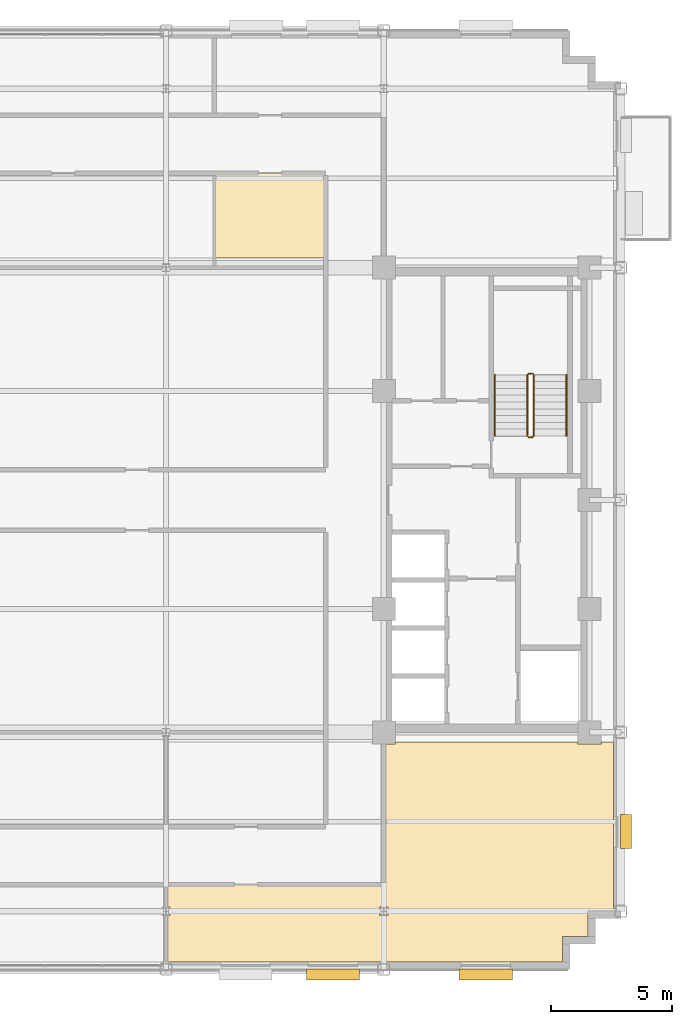
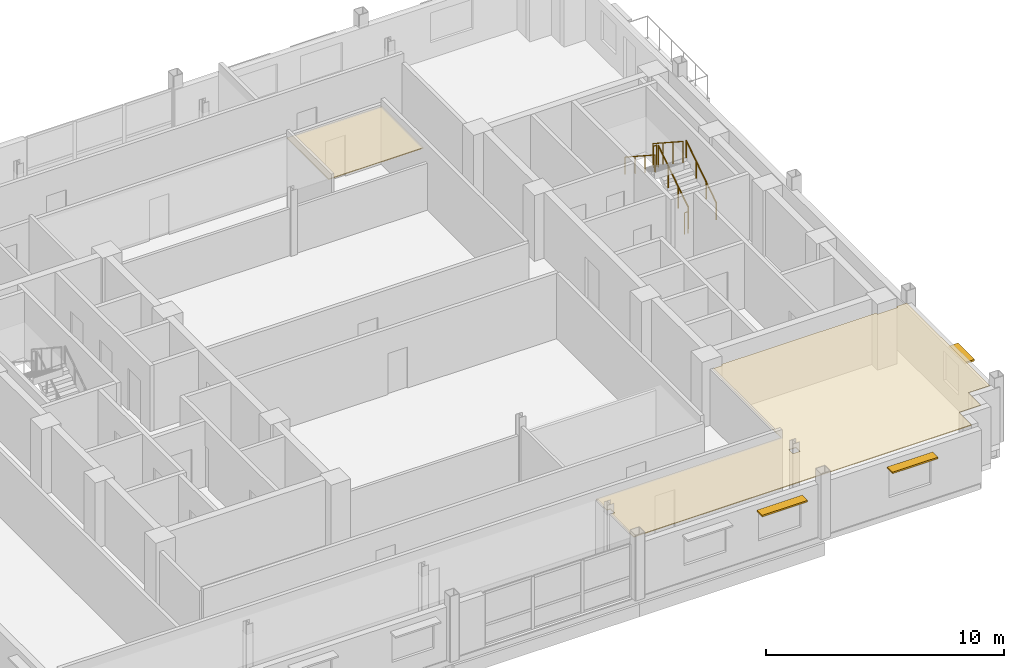
# One storey, part 14 of 15: 6 railings, 3 shading devices, 2 coverings.
"""IFC4 building model written with IfcOpenShell, lengths in metres."""

from ifc_helpers import new_model, si_unit, direction, frame, origin, origin_2d, place, context, subcontext, project, spatial, polyline, rectangle, circle, outline, extrude, source, transform, mapped, material, layer, layer_set, type_object, type_shapes, element, save


model = new_model("IFC4")

# Units and contexts
model_context = context("Model", 3, precision=1e-05, world=origin(), true_north=direction((0.0, 1.0)))
body_context = subcontext(model_context, "Body", "Model", "MODEL_VIEW")
ifc_project = project(units=[si_unit("LENGTHUNIT", "METRE"), si_unit("AREAUNIT", "SQUARE_METRE"), si_unit("VOLUMEUNIT", "CUBIC_METRE"), si_unit("PLANEANGLEUNIT", "RADIAN"), si_unit("MASSUNIT", "GRAM", prefix="KILO")], contexts=[model_context])

# Site, building, storey
site_placement = place(None, origin())
site = spatial("IfcSite", under=ifc_project, at=site_placement, CompositionType="ELEMENT")
building_placement = place(site_placement, origin())
building = spatial("IfcBuilding", under=site, at=building_placement, Name="Nuvemarco Arch Tower", CompositionType="ELEMENT")
storey_placement = place(building_placement, frame((0.0, 0.0, 223.75)))
storey = spatial("IfcBuildingStorey", under=building, at=storey_placement, Name="L59", CompositionType="ELEMENT", Elevation=223.75)

# Coverings
ifc_material_1 = material(Name="Mineral acoustic ceiling tile")
ifc_layer = layer(ifc_material_1, 0.0400390625, Name="COV-ACOUSTIC-CLG")
ifc_layer_set = layer_set([ifc_layer], Name="Mineral acoustic ceiling tile")
covering_type = type_object("IfcCoveringType", Name="COV-ACOUSTIC-CLG", PredefinedType="CEILING", material=ifc_layer_set)
covering_1_placement = place(storey_placement, frame((0.0, 0.0, 2.85009765625)))
element("IfcCovering", 1, at=covering_1_placement, inside=storey, type_object=covering_type, Name="L59 suspended acoustic ceiling 2", PredefinedType="CEILING", context=body_context, shape_type="SweptSolid", body=[
    extrude(outline(polyline([(16.389892578125, -19.090087890625), (0.0, -19.090087890625), (0.0, -17.169921875), (0.169921875, -17.169921875), (0.169921875, -16.830078125), (0.0, -16.830078125), (0.0, -15.89990234375), (6.60009765625, -15.89990234375), (9.0, -15.89990234375), (9.0, -13.5), (9.0, -10.090087890625), (9.489990234375, -10.090087890625), (9.489990234375, -10.0), (17.010009765625, -10.0), (17.010009765625, -10.090087890625), (17.989990234375, -10.090087890625), (17.989990234375, -10.0), (18.489990234375, -10.0), (18.489990234375, -16.989990234375), (17.43994140625, -16.989990234375), (17.43994140625, -18.0400390625), (16.389892578125, -18.0400390625), (16.389892578125, -19.090087890625)]), holes=[polyline([(9.169921875, -17.169921875), (9.169921875, -16.830078125), (8.830078125, -16.830078125), (8.830078125, -17.169921875), (9.169921875, -17.169921875)])]), origin(), (0.0, 0.0, 1.0), 0.039794921875),
])
covering_2_placement = place(storey_placement, frame((0.0, 0.0, 2.85009765625)))
element("IfcCovering", 2, at=covering_2_placement, inside=storey, type_object=covering_type, Name="L59 suspended acoustic ceiling 8", PredefinedType="CEILING", context=body_context, shape_type="SweptSolid", body=[
    extrude(outline(polyline([(2.0, 13.5), (6.60009765625, 13.5), (6.60009765625, 10.0), (2.0, 10.0), (2.0, 13.5)])), origin(), (0.0, 0.0, 1.0), 0.039794921875),
])

# Railings
ifc_material_2 = material(Name="Brushed stainless steel handrail", Category="steel")
railing_type_1 = type_object("IfcRailingType", Name="RL-HANDRAIL-900", PredefinedType="HANDRAIL", material=ifc_material_2)
railing_1_placement = place(storey_placement, frame((16.550048828125, 2.64990234375, 0.1826171875)))
element("IfcRailing", 3, at=railing_1_placement, inside=storey, type_object=railing_type_1, Name="L59 ST-2 stair handrail 1", PredefinedType="HANDRAIL", context=body_context, shape_type="SweptSolid", body=[
    extrude(circle(Radius=0.02392578125, at=origin_2d()), frame((0.0, 0.0, 0.8759765625), z_axis=(0.0, 0.837786554691, 0.545997883492), x_axis=(-1.0, 0.0, 0.0)), (0.0, 0.0, 1.0), 3.008056640625),
    extrude(circle(Radius=0.02099609375, at=origin_2d()), origin(), (0.0, 0.0, 1.0), 0.851806640625),
    extrude(circle(Radius=0.02099609375, at=origin_2d()), frame((0.0, 0.840087890625, 0.54736328125)), (0.0, 0.0, 1.0), 0.851806640625),
    extrude(circle(Radius=0.02099609375, at=origin_2d()), frame((0.0, 1.679931640625, 1.094970703125)), (0.0, 0.0, 1.0), 0.851806640625),
    extrude(circle(Radius=0.02099609375, at=origin_2d()), frame((0.0, 2.52001953125, 1.642333984375)), (0.0, 0.0, 1.0), 0.851806640625),
])
railing_2_placement = place(storey_placement, frame((13.590087890625, 5.169921875, 2.007568359375)))
element("IfcRailing", 4, at=railing_2_placement, inside=storey, type_object=railing_type_1, Name="L59 ST-2 stair handrail 2", PredefinedType="HANDRAIL", context=body_context, shape_type="SweptSolid", body=[
    extrude(circle(Radius=0.02392578125, at=origin_2d()), frame((0.0, 0.0, 0.8759765625), z_axis=(0.0, -0.837786554691, 0.545997883492), x_axis=(1.0, 0.0, 0.0)), (0.0, 0.0, 1.0), 3.008056640625),
    extrude(circle(Radius=0.02099609375, at=origin_2d()), origin(), (0.0, 0.0, 1.0), 0.851806640625),
    extrude(circle(Radius=0.02099609375, at=origin_2d()), frame((0.0, -0.840087890625, 0.54736328125)), (0.0, 0.0, 1.0), 0.851806640625),
    extrude(circle(Radius=0.02099609375, at=origin_2d()), frame((0.0, -1.679931640625, 1.094970703125)), (0.0, 0.0, 1.0), 0.851806640625),
    extrude(circle(Radius=0.02099609375, at=origin_2d()), frame((0.0, -2.52001953125, 1.642333984375)), (0.0, 0.0, 1.0), 0.851806640625),
])
ifc_material_3 = material(Name="Painted balustrade steel S355", Category="steel")
railing_type_2 = type_object("IfcRailingType", Name="RL-STAIR-GUARD", PredefinedType="GUARDRAIL", material=ifc_material_3)
railing_3_placement = place(storey_placement, frame((15.199951171875, 2.64990234375, 0.1826171875)))
element("IfcRailing", 5, at=railing_3_placement, inside=storey, type_object=railing_type_2, Name="L59 ST-2 stair guard 1", PredefinedType="GUARDRAIL", context=body_context, shape_type="SweptSolid", body=[
    extrude(circle(Radius=0.02392578125, at=origin_2d()), frame((0.0, 0.0, 1.09619140625), z_axis=(0.0, 0.837786554691, 0.545997883492), x_axis=(-1.0, 0.0, 0.0)), (0.0, 0.0, 1.0), 3.008056640625),
    extrude(circle(Radius=0.02099609375, at=origin_2d()), origin(), (0.0, 0.0, 1.0), 1.072021484375),
    extrude(circle(Radius=0.02099609375, at=origin_2d()), frame((0.0, 0.840087890625, 0.54736328125)), (0.0, 0.0, 1.0), 1.072021484375),
    extrude(circle(Radius=0.02099609375, at=origin_2d()), frame((0.0, 1.679931640625, 1.094970703125)), (0.0, 0.0, 1.0), 1.072021484375),
    extrude(circle(Radius=0.02099609375, at=origin_2d()), frame((0.0, 2.52001953125, 1.642333984375)), (0.0, 0.0, 1.0), 1.072021484375),
])
railing_4_placement = place(storey_placement, frame((15.14990234375, 5.219970703125, 1.824951171875)))
element("IfcRailing", 6, at=railing_4_placement, inside=storey, type_object=railing_type_2, Name="L59 ST-2 stair guard 2", PredefinedType="GUARDRAIL", context=body_context, shape_type="SweptSolid", body=[
    extrude(circle(Radius=0.02392578125, at=origin_2d()), frame((0.0, 0.0, 1.09619140625), z_axis=(-1.0, 0.0, 0.0), x_axis=(0.0, -1.0, 0.0)), (0.0, 0.0, 1.0), 0.159912109375),
    extrude(circle(Radius=0.02099609375, at=origin_2d()), origin(), (0.0, 0.0, 1.0), 1.072021484375),
    extrude(circle(Radius=0.02099609375, at=origin_2d()), frame((-0.159912109375, 0.0, 0.0)), (0.0, 0.0, 1.0), 1.072021484375),
])
railing_5_placement = place(storey_placement, frame((14.93994140625, 5.169921875, 2.007568359375)))
element("IfcRailing", 7, at=railing_5_placement, inside=storey, type_object=railing_type_2, Name="L59 ST-2 stair guard 3", PredefinedType="GUARDRAIL", context=body_context, shape_type="SweptSolid", body=[
    extrude(circle(Radius=0.02392578125, at=origin_2d()), frame((0.0, 0.0, 1.09619140625), z_axis=(0.0, -0.837786554691, 0.545997883492), x_axis=(1.0, 0.0, 0.0)), (0.0, 0.0, 1.0), 3.008056640625),
    extrude(circle(Radius=0.02099609375, at=origin_2d()), origin(), (0.0, 0.0, 1.0), 1.072021484375),
    extrude(circle(Radius=0.02099609375, at=origin_2d()), frame((0.0, -0.840087890625, 0.54736328125)), (0.0, 0.0, 1.0), 1.072021484375),
    extrude(circle(Radius=0.02099609375, at=origin_2d()), frame((0.0, -1.679931640625, 1.094970703125)), (0.0, 0.0, 1.0), 1.072021484375),
    extrude(circle(Radius=0.02099609375, at=origin_2d()), frame((0.0, -2.52001953125, 1.642333984375)), (0.0, 0.0, 1.0), 1.072021484375),
])
railing_6_placement = place(storey_placement, frame((15.14990234375, 2.60009765625, 0.0)))
element("IfcRailing", 8, at=railing_6_placement, inside=storey, type_object=railing_type_2, Name="L59 ST-2 stair guard 4", PredefinedType="GUARDRAIL", context=body_context, shape_type="SweptSolid", body=[
    extrude(circle(Radius=0.02392578125, at=origin_2d()), frame((0.0, 0.0, 1.09619140625), z_axis=(-1.0, 0.0, 0.0), x_axis=(0.0, -1.0, 0.0)), (0.0, 0.0, 1.0), 0.159912109375),
    extrude(circle(Radius=0.02099609375, at=origin_2d()), origin(), (0.0, 0.0, 1.0), 1.072021484375),
    extrude(circle(Radius=0.02099609375, at=origin_2d()), frame((-0.159912109375, 0.0, 0.0)), (0.0, 0.0, 1.0), 1.072021484375),
])

# Shading devices
ifc_material_4 = material(Name="Anodised aluminium 6063-T6", Category="aluminium")
shading_device_type_1 = type_object("IfcShadingDeviceType", Name="SHD-BRISE-SOLEIL", PredefinedType="USERDEFINED", material=ifc_material_4)
shared_shape_1 = source(origin(), body_context, "Body", "SweptSolid", [
    extrude(rectangle(XDim=2.199951171875, YDim=0.449951171875, at=origin_2d()), origin(), (0.0, 0.0, 1.0), 0.080078125),
])
type_shapes(shading_device_type_1, [shared_shape_1])
for number, where, z_axis, x_axis, name in (
    (9, (6.89990234375, -19.614990234375, 2.324951171875), (0.0, 0.0, 1.0), (1.0, 0.0, 0.0), "L59 horizontal brise-soleil sunshade"),
    (10, (13.216796875, -19.614990234375, 2.324951171875), (0.0, 0.0, 1.0), (1.0, 0.0, 0.0), "L59 horizontal brise-soleil sunshade"),
):
    element("IfcShadingDevice", number, at=place(storey_placement, frame(where, z_axis=z_axis, x_axis=x_axis)), inside=storey, type_object=shading_device_type_1, Name=name, ObjectType="SUNSHADE", PredefinedType="USERDEFINED", context=body_context, shape_type="MappedRepresentation", body=[
        mapped(shared_shape_1, transform((0.0, 0.0, 0.0), scale=1.0)),
    ])
shading_device_type_2 = type_object("IfcShadingDeviceType", Name="SHD-BRISE-NARROW", PredefinedType="USERDEFINED", material=ifc_material_4)
shared_shape_2 = source(origin(), body_context, "Body", "SweptSolid", [
    extrude(rectangle(XDim=1.39990234375, YDim=0.449951171875, at=origin_2d()), origin(), (0.0, 0.0, 1.0), 0.080078125),
])
type_shapes(shading_device_type_2, [shared_shape_2])
shading_device_placement = place(storey_placement, frame((19.014892578125, -13.708984375, 2.324951171875), z_axis=(0.0, 0.0, 1.0), x_axis=(0.0, 1.0, 0.0)))
element("IfcShadingDevice", 11, at=shading_device_placement, inside=storey, type_object=shading_device_type_2, Name="L59 horizontal brise-soleil sunshade", ObjectType="SUNSHADE", PredefinedType="USERDEFINED", context=body_context, shape_type="MappedRepresentation", body=[
    mapped(shared_shape_2, transform((0.0, 0.0, 0.0), scale=1.0)),
])

save(model, "model.ifc")
